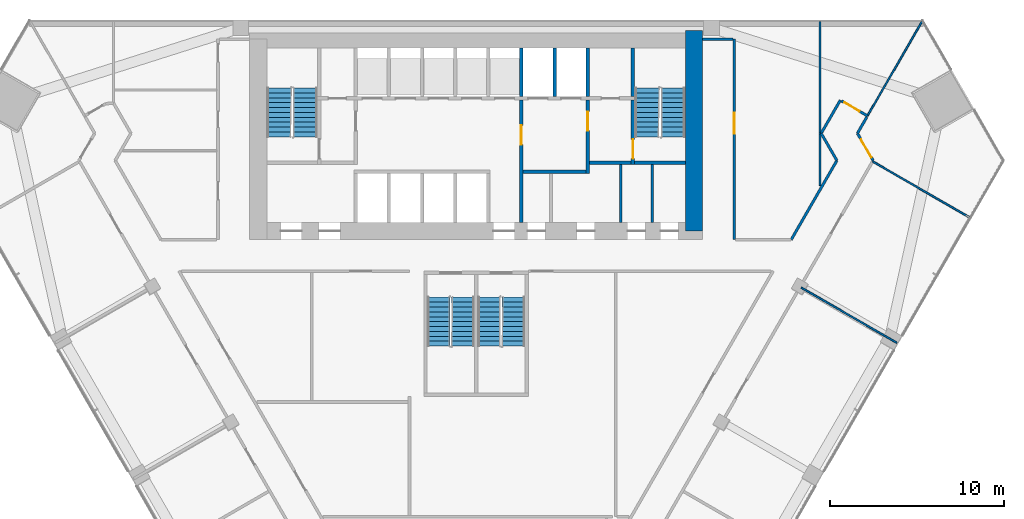
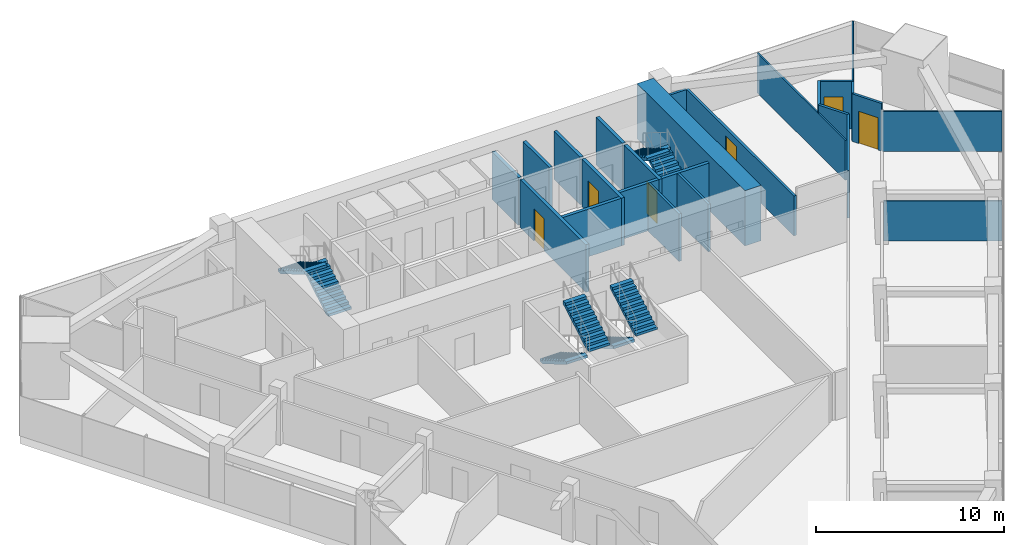
# One storey, part 11 of 13: 25 walls, 8 stair flights, 6 doors, 6 openings, 4 elements without a shape of their own.
"""IFC4 building model written with IfcOpenShell, lengths in metres."""

from ifc_helpers import new_model, si_unit, direction, frame, frame_2d, origin, place, context, subcontext, project, spatial, polyline, rectangle, outline, extrude, material, layer, layer_set, type_object, element, fill, aggregate, save


model = new_model("IFC4")

# Units and contexts
model_context = context("Model", 3, precision=1e-05, world=origin(), true_north=direction((0.0, 1.0)))
body_context = subcontext(model_context, "Body", "Model", "MODEL_VIEW")
ifc_project = project(units=[si_unit("LENGTHUNIT", "METRE"), si_unit("AREAUNIT", "SQUARE_METRE"), si_unit("VOLUMEUNIT", "CUBIC_METRE"), si_unit("PLANEANGLEUNIT", "RADIAN"), si_unit("MASSUNIT", "GRAM", prefix="KILO")], contexts=[model_context])

# Site, building, storey
site_placement = place(None, origin())
site = spatial("IfcSite", under=ifc_project, at=site_placement, CompositionType="ELEMENT")
building_placement = place(site_placement, origin())
building = spatial("IfcBuilding", under=site, at=building_placement, Name="Altiplano Prism Tower", CompositionType="ELEMENT")
storey_placement = place(building_placement, frame((0.0, 0.0, 59.39990234375)))
storey = spatial("IfcBuildingStorey", under=building, at=storey_placement, Name="L14", CompositionType="ELEMENT", Elevation=59.39990234375)

# Walls
ifc_material_1 = material(Name="Concrete C70/85", Category="concrete")
ifc_layer_1 = layer(ifc_material_1, 1.0)
ifc_layer_set_1 = layer_set([ifc_layer_1], Name="Concrete C70/85")
wall_type_1 = type_object("IfcWallType", Name="Core wall 1000", PredefinedType="SHEAR", material=ifc_layer_set_1)
wall_1_placement = place(storey_placement, frame((97.5, 92.89990234375, 0.0), z_axis=(0.0, 0.0, 1.0), x_axis=(0.0, 1.0, 0.0)))
element("IfcWall", 1, at=wall_1_placement, inside=storey, type_object=wall_type_1, Name="Core wall E L14", PredefinedType="SHEAR", context=body_context, shape_type="SweptSolid", body=[
    extrude(rectangle(XDim=11.5, YDim=1.0, at=frame_2d((5.75, 0.0))), origin(), (0.0, 0.0, 1.0), 3.60009765625),
])
ifc_material_2 = material(Name="Plasterboard on steel stud", Category="steel")
ifc_layer_2 = layer(ifc_material_2, 0.10009765625)
ifc_layer_set_2 = layer_set([ifc_layer_2], Name="Plasterboard on steel stud")
wall_type_2 = type_object("IfcWallType", Name="Partition 100 wet", PredefinedType="PARTITIONING", material=ifc_layer_set_2)
wall_2_placement = place(storey_placement, frame((109.130126953125, 86.48828125, 0.0), z_axis=(0.0, 0.0, 1.0), x_axis=(-0.866042250622, 0.499970819286, 0.0)))
element("IfcWall", 2, at=wall_2_placement, inside=storey, type_object=wall_type_2, Name="Partition P03 L14 040", PredefinedType="PARTITIONING", context=body_context, shape_type="SweptSolid", body=[
    extrude(rectangle(XDim=6.3251953125, YDim=0.10009765625, at=frame_2d((3.16259765625, 0.0))), origin(), (0.0, 0.0, 1.0), 2.60009765625),
])
wall_3_placement = place(storey_placement, frame((113.28662109375, 93.6875, 0.0), z_axis=(0.0, 0.0, 1.0), x_axis=(-0.866035036182, 0.499983315828, 0.0)))
element("IfcWall", 3, at=wall_3_placement, inside=storey, type_object=wall_type_2, Name="Partition P03 L14 041", PredefinedType="PARTITIONING", context=body_context, shape_type="SweptSolid", body=[
    extrude(rectangle(XDim=6.400146484375, YDim=0.10009765625, at=frame_2d((3.2001953125, 0.0))), origin(), (0.0, 0.0, 1.0), 2.60009765625),
])
wall_4_placement = place(storey_placement, frame((110.568359375, 104.89990234375, 0.0), z_axis=(0.0, 0.0, 1.0), x_axis=(-0.500034261589, -0.866005621943, 0.0)))
element("IfcWall", 4, at=wall_4_placement, inside=storey, type_object=wall_type_2, Name="Partition P03 L14 042", PredefinedType="PARTITIONING", context=body_context, shape_type="SweptSolid", body=[
    extrude(rectangle(XDim=6.2353515625, YDim=0.10009765625, at=frame_2d((3.11767578125, 0.0))), origin(), (0.0, 0.0, 1.0), 2.60009765625),
])
wall_5_placement = place(storey_placement, frame((104.73193359375, 95.50732421875, 0.0), z_axis=(0.0, 0.0, 1.0), x_axis=(0.0, 1.0, 0.0)))
element("IfcWall", 5, at=wall_5_placement, inside=storey, type_object=wall_type_2, Name="Partition P03 L14 046", PredefinedType="PARTITIONING", context=body_context, shape_type="SweptSolid", body=[
    extrude(rectangle(XDim=9.392578125, YDim=0.10009765625, at=frame_2d((4.6962890625, 0.0))), origin(), (0.0, 0.0, 1.0), 2.60009765625),
])

# Wall, opening, door
ifc_layer_3 = layer(ifc_material_2, 0.14990234375)
ifc_layer_set_3 = layer_set([ifc_layer_3], Name="Plasterboard on steel stud")
wall_type_3 = type_object("IfcWallType", Name="Partition 150 corridor", PredefinedType="PARTITIONING", material=ifc_layer_set_3)
wall_6_placement = place(storey_placement, frame((107.774169921875, 96.939697265625, 0.0), z_axis=(0.0, 0.0, 1.0), x_axis=(-0.500015694476, 0.866016342385, 0.0)))
wall_6 = element("IfcWall", 6, at=wall_6_placement, inside=storey, type_object=wall_type_3, Name="Partition P06 L14 014", PredefinedType="PARTITIONING", context=body_context, shape_type="SweptSolid", body=[
    extrude(rectangle(XDim=1.8017578125, YDim=0.14990234375, at=frame_2d((0.90087890625, 0.0))), origin(), (0.0, 0.0, 1.0), 3.10009765625),
])
opening_1_placement = place(wall_6_placement, frame((0.199951171875, 0.0, 0.0)))
opening_1 = element("IfcOpeningElement", 7, at=opening_1_placement, cuts=wall_6, Name="Opening D0586", PredefinedType="OPENING", context=body_context, shape_type="SweptSolid", body=[
    extrude(rectangle(XDim=1.199951171875, YDim=2.10009765625, at=frame_2d((0.60009765625, 1.050048828125))), frame((0.0, 0.08544921875, 0.0), z_axis=(0.0, -1.0, 0.0), x_axis=(1.0, 0.0, 0.0)), (0.0, 0.0, 1.0), 0.1708984375),
])
ifc_material_3 = material(Name="Timber", Category="wood")
door_type_1 = type_object("IfcDoorType", Name="Shared room door 1200 x 2100", OperationType="NOTDEFINED", PredefinedType="NOTDEFINED", material=ifc_material_3)
door_1_placement = place(opening_1_placement, origin())
door_1 = element("IfcDoor", 8, at=door_1_placement, inside=storey, type_object=door_type_1, Name="Door D0586", OperationType="SINGLE_SWING_RIGHT", OverallHeight=2.10009765625, OverallWidth=1.199951171875, PredefinedType="NOTDEFINED", context=body_context, shape_type="SweptSolid", body=[
    extrude(rectangle(XDim=1.199951171875, YDim=2.10009765625, at=frame_2d((0.60009765625, 1.050048828125))), frame((0.0, 0.02490234375, 0.0), z_axis=(0.0, -1.0, 0.0), x_axis=(1.0, 0.0, 0.0)), (0.0, 0.0, 1.0), 0.050048828125),
])
fill(opening_1, door_1)

# Walls
wall_7_placement = place(storey_placement, frame((106.873291015625, 98.5, 0.0), z_axis=(0.0, 0.0, 1.0), x_axis=(0.499957341738, 0.866050031143, 0.0)))
element("IfcWall", 9, at=wall_7_placement, inside=storey, type_object=wall_type_3, Name="Partition P06 L14 015", PredefinedType="PARTITIONING", context=body_context, shape_type="SweptSolid", body=[
    extrude(rectangle(XDim=1.07958984375, YDim=0.14990234375, at=frame_2d((0.539794921875, 0.0))), origin(), (0.0, 0.0, 1.0), 3.10009765625),
])
wall_8_placement = place(storey_placement, frame((105.695556640625, 96.939697265625, 0.0), z_axis=(0.0, 0.0, 1.0), x_axis=(-0.499971068387, -0.866042106815, 0.0)))
element("IfcWall", 10, at=wall_8_placement, inside=storey, type_object=wall_type_3, Name="Partition P06 L14 019", PredefinedType="PARTITIONING", context=body_context, shape_type="SweptSolid", body=[
    extrude(rectangle(XDim=5.241943359375, YDim=0.14990234375, at=frame_2d((2.62109375, 0.0))), origin(), (0.0, 0.0, 1.0), 3.10009765625),
])

# Wall, opening, door
wall_9_placement = place(storey_placement, frame((99.800048828125, 92.39990234375, 0.0), z_axis=(0.0, 0.0, 1.0), x_axis=(0.0, 1.0, 0.0)))
wall_9 = element("IfcWall", 11, at=wall_9_placement, inside=storey, type_object=wall_type_3, Name="Partition P06 L14 021", PredefinedType="PARTITIONING", context=body_context, shape_type="SweptSolid", body=[
    extrude(rectangle(XDim=11.5, YDim=0.14990234375, at=frame_2d((5.75, 0.0))), origin(), (0.0, 0.0, 1.0), 2.60009765625),
])
opening_2_placement = place(wall_9_placement, frame((6.090087890625, 0.0, 0.0)))
opening_2 = element("IfcOpeningElement", 12, at=opening_2_placement, cuts=wall_9, Name="Opening D0589", PredefinedType="OPENING", context=body_context, shape_type="SweptSolid", body=[
    extrude(rectangle(XDim=1.199951171875, YDim=2.10009765625, at=frame_2d((0.60009765625, 1.050048828125))), frame((0.0, 0.08544921875, 0.0), z_axis=(0.0, -1.0, 0.0), x_axis=(1.0, 0.0, 0.0)), (0.0, 0.0, 1.0), 0.1708984375),
])
door_2_placement = place(opening_2_placement, origin())
door_2 = element("IfcDoor", 13, at=door_2_placement, inside=storey, type_object=door_type_1, Name="Door D0589", OperationType="SINGLE_SWING_RIGHT", OverallHeight=2.10009765625, OverallWidth=1.199951171875, PredefinedType="NOTDEFINED", context=body_context, shape_type="SweptSolid", body=[
    extrude(rectangle(XDim=1.199951171875, YDim=2.10009765625, at=frame_2d((0.60009765625, 1.050048828125))), frame((0.0, 0.02490234375, 0.0), z_axis=(0.0, -1.0, 0.0), x_axis=(1.0, 0.0, 0.0)), (0.0, 0.0, 1.0), 0.050048828125),
])
fill(opening_2, door_2)

# Wall
wall_10_placement = place(storey_placement, frame((99.72509765625, 103.89990234375, 0.0), z_axis=(0.0, 0.0, 1.0), x_axis=(-1.0, 0.0, 0.0)))
element("IfcWall", 14, at=wall_10_placement, inside=storey, type_object=wall_type_3, Name="Partition P06 L14 022", PredefinedType="PARTITIONING", context=body_context, shape_type="SweptSolid", body=[
    extrude(rectangle(XDim=1.72509765625, YDim=0.14990234375, at=frame_2d((0.862548828125, 0.0))), origin(), (0.0, 0.0, 1.0), 2.60009765625),
])

# Wall, opening, door
wall_11_placement = place(storey_placement, frame((107.450439453125, 99.5, 0.0), z_axis=(0.0, 0.0, 1.0), x_axis=(-0.866013532718, 0.500020560727, 0.0)))
wall_11 = element("IfcWall", 15, at=wall_11_placement, inside=storey, type_object=wall_type_3, Name="Partition P06 L14 024", PredefinedType="PARTITIONING", context=body_context, shape_type="SweptSolid", body=[
    extrude(rectangle(XDim=1.72509765625, YDim=0.14990234375, at=frame_2d((0.862548828125, 0.0))), origin(), (0.0, 0.0, 1.0), 3.10009765625),
])
opening_3_placement = place(wall_11_placement, frame((0.52490234375, 0.0, 0.0)))
opening_3 = element("IfcOpeningElement", 16, at=opening_3_placement, cuts=wall_11, Name="Opening D0595", PredefinedType="OPENING", context=body_context, shape_type="SweptSolid", body=[
    extrude(rectangle(XDim=1.0, YDim=2.10009765625, at=frame_2d((0.5, 1.050048828125))), frame((0.0, 0.08544921875, 0.0), z_axis=(0.0, -1.0, 0.0), x_axis=(1.0, 0.0, 0.0)), (0.0, 0.0, 1.0), 0.1708984375),
])
door_type_2 = type_object("IfcDoorType", Name="Room door 1000 x 2100", OperationType="NOTDEFINED", PredefinedType="NOTDEFINED", material=ifc_material_3)
door_3_placement = place(opening_3_placement, origin())
door_3 = element("IfcDoor", 17, at=door_3_placement, inside=storey, type_object=door_type_2, Name="Door D0595", OperationType="SINGLE_SWING_RIGHT", OverallHeight=2.10009765625, OverallWidth=1.0, PredefinedType="NOTDEFINED", context=body_context, shape_type="SweptSolid", body=[
    extrude(rectangle(XDim=1.0, YDim=2.10009765625, at=frame_2d((0.5, 1.050048828125))), frame((0.0, 0.02490234375, 0.0), z_axis=(0.0, -1.0, 0.0), x_axis=(1.0, 0.0, 0.0)), (0.0, 0.0, 1.0), 0.050048828125),
])
fill(opening_3, door_3)

# Walls
wall_12_placement = place(storey_placement, frame((105.8916015625, 100.39990234375, 0.0), z_axis=(0.0, 0.0, 1.0), x_axis=(-0.500005024956, -0.866022502605, 0.0)))
element("IfcWall", 18, at=wall_12_placement, inside=storey, type_object=wall_type_3, Name="Partition P06 L14 025", PredefinedType="PARTITIONING", context=body_context, shape_type="SweptSolid", body=[
    extrude(rectangle(XDim=2.19384765625, YDim=0.14990234375, at=frame_2d((1.096923828125, 0.0))), origin(), (0.0, 0.0, 1.0), 3.10009765625),
])
wall_13_placement = place(storey_placement, frame((104.794677734375, 98.5, 0.0), z_axis=(0.0, 0.0, 1.0), x_axis=(0.500015694476, -0.866016342385, 0.0)))
element("IfcWall", 19, at=wall_13_placement, inside=storey, type_object=wall_type_3, Name="Partition P06 L14 026", PredefinedType="PARTITIONING", context=body_context, shape_type="SweptSolid", body=[
    extrude(rectangle(XDim=1.8017578125, YDim=0.14990234375, at=frame_2d((0.90087890625, 0.0))), origin(), (0.0, 0.0, 1.0), 3.10009765625),
])
ifc_material_4 = material(Name="Fire-rated gypsum board partition")
ifc_layer_4 = layer(ifc_material_4, 0.14990234375)
ifc_layer_set_4 = layer_set([ifc_layer_4], Name="Fire-rated gypsum board partition")
wall_type_4 = type_object("IfcWallType", Name="Room partition 150", PredefinedType="PARTITIONING", material=ifc_layer_set_4)
for number, where, z_axis, x_axis, name in (
    (20, (93.300048828125, 93.39990234375, 0.0), (0.0, 0.0, 1.0), (0.0, 1.0, 0.0), "Room partition L14"),
    (21, (95.10009765625, 93.39990234375, 0.0), (0.0, 0.0, 1.0), (0.0, 1.0, 0.0), "Room partition L14"),
):
    element("IfcWall", number, at=place(storey_placement, frame(where, z_axis=z_axis, x_axis=x_axis)), inside=storey, type_object=wall_type_4, Name=name, PredefinedType="PARTITIONING", context=body_context, shape_type="SweptSolid", body=[
        extrude(rectangle(XDim=3.300048828125, YDim=0.14990234375, at=frame_2d((1.64990234375, 0.0))), origin(), (0.0, 0.0, 1.0), 3.10009765625),
    ])
ifc_material_5 = material(Name="Concrete C60/75", Category="concrete")
ifc_layer_5 = layer(ifc_material_5, 0.199951171875)
ifc_layer_set_5 = layer_set([ifc_layer_5], Name="Concrete C60/75")
wall_type_5 = type_object("IfcWallType", Name="Shaft wall 200", PredefinedType="SOLIDWALL", material=ifc_layer_set_5)
for number, where, z_axis, x_axis, name in (
    (22, (87.60009765625, 100.60009765625, 0.0), (0.0, 0.0, 1.0), (0.0, 1.0, 0.0), "Shaft wall L14"),
    (23, (89.5, 100.60009765625, 0.0), (0.0, 0.0, 1.0), (0.0, 1.0, 0.0), "Shaft wall L14"),
    (24, (91.39990234375, 100.60009765625, 0.0), (0.0, 0.0, 1.0), (0.0, 1.0, 0.0), "Shaft wall L14"),
):
    element("IfcWall", number, at=place(storey_placement, frame(where, z_axis=z_axis, x_axis=x_axis)), inside=storey, type_object=wall_type_5, Name=name, PredefinedType="SOLIDWALL", context=body_context, shape_type="SweptSolid", body=[
        extrude(rectangle(XDim=2.7998046875, YDim=0.199951171875, at=frame_2d((1.39990234375, 0.0))), origin(), (0.0, 0.0, 1.0), 3.10009765625),
    ])

# Wall, opening, door
ifc_layer_6 = layer(ifc_material_5, 0.199951171875)
ifc_layer_set_6 = layer_set([ifc_layer_6], Name="Concrete C60/75")
wall_type_6 = type_object("IfcWallType", Name="Stair wall 200", PredefinedType="SOLIDWALL", material=ifc_layer_set_6)
wall_14_placement = place(storey_placement, frame((94.0, 96.699951171875, 0.0), z_axis=(0.0, 0.0, 1.0), x_axis=(0.0, 1.0, 0.0)))
wall_14 = element("IfcWall", 25, at=wall_14_placement, inside=storey, type_object=wall_type_6, Name="Stair wall L14", PredefinedType="SOLIDWALL", context=body_context, shape_type="SweptSolid", body=[
    extrude(rectangle(XDim=3.699951171875, YDim=0.199951171875, at=frame_2d((1.85009765625, 0.0))), origin(), (0.0, 0.0, 1.0), 3.10009765625),
])
opening_4_placement = place(wall_14_placement, frame((0.35009765625, 0.0, 0.0)))
opening_4 = element("IfcOpeningElement", 26, at=opening_4_placement, cuts=wall_14, Name="Opening D2775", PredefinedType="OPENING", context=body_context, shape_type="SweptSolid", body=[
    extrude(rectangle(XDim=1.10009765625, YDim=2.10009765625, at=frame_2d((0.550048828125, 1.050048828125))), frame((0.0, 0.1103515625, 0.0), z_axis=(0.0, -1.0, 0.0), x_axis=(1.0, 0.0, 0.0)), (0.0, 0.0, 1.0), 0.220947265625),
])
ifc_material_6 = material(Name="Fire-rated steel door", Category="steel")
door_type_3 = type_object("IfcDoorType", Name="Stair fire door 1100 x 2100", OperationType="NOTDEFINED", PredefinedType="NOTDEFINED", material=ifc_material_6)
door_4_placement = place(opening_4_placement, origin())
door_4 = element("IfcDoor", 27, at=door_4_placement, inside=storey, type_object=door_type_3, Name="Stair fire door D2775", OperationType="SINGLE_SWING_LEFT", OverallHeight=2.10009765625, OverallWidth=1.10009765625, PredefinedType="NOTDEFINED", context=body_context, shape_type="SweptSolid", body=[
    extrude(rectangle(XDim=1.10009765625, YDim=2.10009765625, at=frame_2d((0.550048828125, 1.050048828125))), frame((0.0, 0.02490234375, 0.0), z_axis=(0.0, -1.0, 0.0), x_axis=(1.0, 0.0, 0.0)), (0.0, 0.0, 1.0), 0.050048828125),
])
fill(opening_4, door_4)

# Walls
wall_15_placement = place(storey_placement, frame((94.10009765625, 96.800048828125, 0.0), z_axis=(0.0, 0.0, 1.0), x_axis=(1.0, 0.0, 0.0)))
element("IfcWall", 28, at=wall_15_placement, inside=storey, type_object=wall_type_6, Name="Stair wall L14", PredefinedType="SOLIDWALL", context=body_context, shape_type="SweptSolid", body=[
    extrude(rectangle(XDim=2.89990234375, YDim=0.199951171875, at=frame_2d((1.449951171875, 0.0))), origin(), (0.0, 0.0, 1.0), 3.10009765625),
])
wall_16_placement = place(storey_placement, frame((94.0, 100.60009765625, 0.0), z_axis=(0.0, 0.0, 1.0), x_axis=(0.0, 1.0, 0.0)))
element("IfcWall", 29, at=wall_16_placement, inside=storey, type_object=wall_type_6, Name="Stair wall L14", PredefinedType="SOLIDWALL", context=body_context, shape_type="SweptSolid", body=[
    extrude(rectangle(XDim=2.7998046875, YDim=0.199951171875, at=frame_2d((1.39990234375, 0.0))), origin(), (0.0, 0.0, 1.0), 3.10009765625),
])

# Wall, opening, door
ifc_layer_7 = layer(ifc_material_5, 0.199951171875)
ifc_layer_set_7 = layer_set([ifc_layer_7], Name="Concrete C60/75")
wall_type_7 = type_object("IfcWallType", Name="Vestibule wall 200", PredefinedType="PARTITIONING", material=ifc_layer_set_7)
wall_17_placement = place(storey_placement, frame((87.60009765625, 93.39990234375, 0.0), z_axis=(0.0, 0.0, 1.0), x_axis=(0.0, 1.0, 0.0)))
wall_17 = element("IfcWall", 30, at=wall_17_placement, inside=storey, type_object=wall_type_7, Name="Vestibule wall L14", PredefinedType="PARTITIONING", context=body_context, shape_type="SweptSolid", body=[
    extrude(rectangle(XDim=7.0, YDim=0.199951171875, at=frame_2d((3.5, 0.0))), origin(), (0.0, 0.0, 1.0), 3.10009765625),
])
opening_5_placement = place(wall_17_placement, frame((4.449951171875, 0.0, 0.0)))
opening_5 = element("IfcOpeningElement", 31, at=opening_5_placement, cuts=wall_17, Name="Opening D2777", PredefinedType="OPENING", context=body_context, shape_type="SweptSolid", body=[
    extrude(rectangle(XDim=1.10009765625, YDim=2.10009765625, at=frame_2d((0.550048828125, 1.050048828125))), frame((0.0, 0.1103515625, 0.0), z_axis=(0.0, -1.0, 0.0), x_axis=(1.0, 0.0, 0.0)), (0.0, 0.0, 1.0), 0.220947265625),
])
door_type_4 = type_object("IfcDoorType", Name="Vestibule fire door 1100 x 2100", OperationType="NOTDEFINED", PredefinedType="NOTDEFINED", material=ifc_material_6)
door_5_placement = place(opening_5_placement, origin())
door_5 = element("IfcDoor", 32, at=door_5_placement, inside=storey, type_object=door_type_4, Name="Vestibule fire door D2777", OperationType="SINGLE_SWING_RIGHT", OverallHeight=2.10009765625, OverallWidth=1.10009765625, PredefinedType="NOTDEFINED", context=body_context, shape_type="SweptSolid", body=[
    extrude(rectangle(XDim=1.10009765625, YDim=2.10009765625, at=frame_2d((0.550048828125, 1.050048828125))), frame((0.0, 0.02490234375, 0.0), z_axis=(0.0, -1.0, 0.0), x_axis=(1.0, 0.0, 0.0)), (0.0, 0.0, 1.0), 0.050048828125),
])
fill(opening_5, door_5)

# Wall
wall_18_placement = place(storey_placement, frame((87.699951171875, 96.300048828125, 0.0), z_axis=(0.0, 0.0, 1.0), x_axis=(1.0, 0.0, 0.0)))
element("IfcWall", 33, at=wall_18_placement, inside=storey, type_object=wall_type_7, Name="Vestibule wall L14", PredefinedType="PARTITIONING", context=body_context, shape_type="SweptSolid", body=[
    extrude(rectangle(XDim=3.60009765625, YDim=0.199951171875, at=frame_2d((1.800048828125, 0.0))), origin(), (0.0, 0.0, 1.0), 3.10009765625),
])

# Wall, opening, door
wall_19_placement = place(storey_placement, frame((91.39990234375, 96.199951171875, 0.0), z_axis=(0.0, 0.0, 1.0), x_axis=(0.0, 1.0, 0.0)))
wall_19 = element("IfcWall", 34, at=wall_19_placement, inside=storey, type_object=wall_type_7, Name="Vestibule wall L14", PredefinedType="PARTITIONING", context=body_context, shape_type="SweptSolid", body=[
    extrude(rectangle(XDim=4.199951171875, YDim=0.199951171875, at=frame_2d((2.10009765625, 0.0))), origin(), (0.0, 0.0, 1.0), 3.10009765625),
])
opening_6_placement = place(wall_19_placement, frame((2.449951171875, 0.0, 0.0)))
opening_6 = element("IfcOpeningElement", 35, at=opening_6_placement, cuts=wall_19, Name="Opening D2778", PredefinedType="OPENING", context=body_context, shape_type="SweptSolid", body=[
    extrude(rectangle(XDim=1.10009765625, YDim=2.10009765625, at=frame_2d((0.550048828125, 1.050048828125))), frame((0.0, 0.1103515625, 0.0), z_axis=(0.0, -1.0, 0.0), x_axis=(1.0, 0.0, 0.0)), (0.0, 0.0, 1.0), 0.220947265625),
])
door_6_placement = place(opening_6_placement, origin())
door_6 = element("IfcDoor", 36, at=door_6_placement, inside=storey, type_object=door_type_4, Name="Vestibule fire door D2778", OperationType="SINGLE_SWING_LEFT", OverallHeight=2.10009765625, OverallWidth=1.10009765625, PredefinedType="NOTDEFINED", context=body_context, shape_type="SweptSolid", body=[
    extrude(rectangle(XDim=1.10009765625, YDim=2.10009765625, at=frame_2d((0.550048828125, 1.050048828125))), frame((0.0, 0.02490234375, 0.0), z_axis=(0.0, -1.0, 0.0), x_axis=(1.0, 0.0, 0.0)), (0.0, 0.0, 1.0), 0.050048828125),
])
fill(opening_6, door_6)

# Wall
wall_20_placement = place(storey_placement, frame((91.5, 96.800048828125, 0.0), z_axis=(0.0, 0.0, 1.0), x_axis=(1.0, 0.0, 0.0)))
element("IfcWall", 37, at=wall_20_placement, inside=storey, type_object=wall_type_7, Name="Vestibule wall L14", PredefinedType="PARTITIONING", context=body_context, shape_type="SweptSolid", body=[
    extrude(rectangle(XDim=2.39990234375, YDim=0.199951171875, at=frame_2d((1.199951171875, 0.0))), origin(), (0.0, 0.0, 1.0), 3.10009765625),
])

# Stair, stair flights
ifc_material_7 = material(Name="Concrete C40/50", Category="concrete")
stair_type_1 = type_object("IfcStairType", Name="Exit stair 1400", PredefinedType="HALF_TURN_STAIR", material=ifc_material_7)
stair_1_placement = place(storey_placement, origin())
stair_1 = element("IfcStair", 38, at=stair_1_placement, inside=storey, type_object=stair_type_1, Name="L14 Exit Stair 1", PredefinedType="HALF_TURN_STAIR")
stair_flight_type = type_object("IfcStairFlightType", Name="Stair flight concrete 150", PredefinedType="STRAIGHT", material=ifc_material_7)
stair_flight_1_placement = place(storey_placement, frame((75.199951171875, 98.300048828125, 0.0), z_axis=(0.0, 0.0, 1.0), x_axis=(0.0, 1.0, 0.0)))
stair_flight_1 = element("IfcStairFlight", 39, at=stair_flight_1_placement, type_object=stair_flight_type, Name="ST1 flight 1", NumberOfRisers=11, NumberOfTreads=10, PredefinedType="STRAIGHT", RiserHeight=0.163636364, TreadLength=0.28, context=body_context, shape_type="SweptSolid", body=[
    extrude(outline(polyline([(0.0, 0.0), (0.0, 0.16357421875), (0.280029296875, 0.16357421875), (0.280029296875, 0.327392578125), (0.56005859375, 0.327392578125), (0.56005859375, 0.490966796875), (0.840087890625, 0.490966796875), (0.840087890625, 0.654541015625), (1.1201171875, 0.654541015625), (1.1201171875, 0.818115234375), (1.39990234375, 0.818115234375), (1.39990234375, 0.98193359375), (1.679931640625, 0.98193359375), (1.679931640625, 1.1455078125), (1.9599609375, 1.1455078125), (1.9599609375, 1.30908203125), (2.239990234375, 1.30908203125), (2.239990234375, 1.47265625), (2.52001953125, 1.47265625), (2.52001953125, 1.636474609375), (2.800048828125, 1.636474609375), (2.800048828125, 1.800048828125), (2.800048828125, 1.462646484375), (0.297119140625, 0.0), (0.0, 0.0)])), frame((0.0, 0.699951171875, 0.0), z_axis=(0.0, -1.0, 0.0), x_axis=(1.0, 0.0, 0.0)), (0.0, 0.0, 1.0), 1.39990234375),
])
stair_flight_2_placement = place(storey_placement, frame((73.699951171875, 101.10009765625, 1.800048828125), z_axis=(0.0, 0.0, 1.0), x_axis=(0.0, -1.0, 0.0)))
stair_flight_2 = element("IfcStairFlight", 40, at=stair_flight_2_placement, type_object=stair_flight_type, Name="ST1 flight 2", NumberOfRisers=11, NumberOfTreads=10, PredefinedType="STRAIGHT", RiserHeight=0.163636364, TreadLength=0.28, context=body_context, shape_type="SweptSolid", body=[
    extrude(outline(polyline([(0.0, 0.0), (0.0, 0.16357421875), (0.280029296875, 0.16357421875), (0.280029296875, 0.327392578125), (0.56005859375, 0.327392578125), (0.56005859375, 0.490966796875), (0.840087890625, 0.490966796875), (0.840087890625, 0.654541015625), (1.1201171875, 0.654541015625), (1.1201171875, 0.818115234375), (1.39990234375, 0.818115234375), (1.39990234375, 0.98193359375), (1.679931640625, 0.98193359375), (1.679931640625, 1.1455078125), (1.9599609375, 1.1455078125), (1.9599609375, 1.30908203125), (2.239990234375, 1.30908203125), (2.239990234375, 1.47265625), (2.52001953125, 1.47265625), (2.52001953125, 1.636474609375), (2.800048828125, 1.636474609375), (2.800048828125, 1.800048828125), (2.800048828125, 1.462646484375), (0.297119140625, 0.0), (0.0, 0.0)])), frame((0.0, 0.699951171875, 0.0), z_axis=(0.0, -1.0, 0.0), x_axis=(1.0, 0.0, 0.0)), (0.0, 0.0, 1.0), 1.39990234375),
])
aggregate(stair_1, [stair_flight_1, stair_flight_2])

stair_2_placement = place(storey_placement, origin())
stair_2 = element("IfcStair", 41, at=stair_2_placement, inside=storey, type_object=stair_type_1, Name="L14 Exit Stair 2", PredefinedType="HALF_TURN_STAIR")
stair_flight_3_placement = place(storey_placement, frame((96.300048828125, 98.300048828125, 0.0), z_axis=(0.0, 0.0, 1.0), x_axis=(0.0, 1.0, 0.0)))
stair_flight_3 = element("IfcStairFlight", 42, at=stair_flight_3_placement, type_object=stair_flight_type, Name="ST2 flight 1", NumberOfRisers=11, NumberOfTreads=10, PredefinedType="STRAIGHT", RiserHeight=0.163636364, TreadLength=0.28, context=body_context, shape_type="SweptSolid", body=[
    extrude(outline(polyline([(0.0, 0.0), (0.0, 0.16357421875), (0.280029296875, 0.16357421875), (0.280029296875, 0.327392578125), (0.56005859375, 0.327392578125), (0.56005859375, 0.490966796875), (0.840087890625, 0.490966796875), (0.840087890625, 0.654541015625), (1.1201171875, 0.654541015625), (1.1201171875, 0.818115234375), (1.39990234375, 0.818115234375), (1.39990234375, 0.98193359375), (1.679931640625, 0.98193359375), (1.679931640625, 1.1455078125), (1.9599609375, 1.1455078125), (1.9599609375, 1.30908203125), (2.239990234375, 1.30908203125), (2.239990234375, 1.47265625), (2.52001953125, 1.47265625), (2.52001953125, 1.636474609375), (2.800048828125, 1.636474609375), (2.800048828125, 1.800048828125), (2.800048828125, 1.462646484375), (0.297119140625, 0.0), (0.0, 0.0)])), frame((0.0, 0.699951171875, 0.0), z_axis=(0.0, -1.0, 0.0), x_axis=(1.0, 0.0, 0.0)), (0.0, 0.0, 1.0), 1.39990234375),
])
stair_flight_4_placement = place(storey_placement, frame((94.800048828125, 101.10009765625, 1.800048828125), z_axis=(0.0, 0.0, 1.0), x_axis=(0.0, -1.0, 0.0)))
stair_flight_4 = element("IfcStairFlight", 43, at=stair_flight_4_placement, type_object=stair_flight_type, Name="ST2 flight 2", NumberOfRisers=11, NumberOfTreads=10, PredefinedType="STRAIGHT", RiserHeight=0.163636364, TreadLength=0.28, context=body_context, shape_type="SweptSolid", body=[
    extrude(outline(polyline([(0.0, 0.0), (0.0, 0.16357421875), (0.280029296875, 0.16357421875), (0.280029296875, 0.327392578125), (0.56005859375, 0.327392578125), (0.56005859375, 0.490966796875), (0.840087890625, 0.490966796875), (0.840087890625, 0.654541015625), (1.1201171875, 0.654541015625), (1.1201171875, 0.818115234375), (1.39990234375, 0.818115234375), (1.39990234375, 0.98193359375), (1.679931640625, 0.98193359375), (1.679931640625, 1.1455078125), (1.9599609375, 1.1455078125), (1.9599609375, 1.30908203125), (2.239990234375, 1.30908203125), (2.239990234375, 1.47265625), (2.52001953125, 1.47265625), (2.52001953125, 1.636474609375), (2.800048828125, 1.636474609375), (2.800048828125, 1.800048828125), (2.800048828125, 1.462646484375), (0.297119140625, 0.0), (0.0, 0.0)])), frame((0.0, 0.699951171875, 0.0), z_axis=(0.0, -1.0, 0.0), x_axis=(1.0, 0.0, 0.0)), (0.0, 0.0, 1.0), 1.39990234375),
])
aggregate(stair_2, [stair_flight_3, stair_flight_4])

stair_type_2 = type_object("IfcStairType", Name="Exit stair 1300", PredefinedType="HALF_TURN_STAIR", material=ifc_material_7)
stair_3_placement = place(storey_placement, origin())
stair_3 = element("IfcStair", 44, at=stair_3_placement, inside=storey, type_object=stair_type_2, Name="L14 Exit Stair 3A", PredefinedType="HALF_TURN_STAIR")
stair_flight_5_placement = place(storey_placement, frame((82.85009765625, 89.10009765625, 0.0), z_axis=(0.0, 0.0, 1.0), x_axis=(0.0, -1.0, 0.0)))
stair_flight_5 = element("IfcStairFlight", 45, at=stair_flight_5_placement, type_object=stair_flight_type, Name="ST3A flight 1", NumberOfRisers=11, NumberOfTreads=10, PredefinedType="STRAIGHT", RiserHeight=0.163636364, TreadLength=0.28, context=body_context, shape_type="SweptSolid", body=[
    extrude(outline(polyline([(0.0, 0.0), (0.0, 0.16357421875), (0.280029296875, 0.16357421875), (0.280029296875, 0.327392578125), (0.56005859375, 0.327392578125), (0.56005859375, 0.490966796875), (0.840087890625, 0.490966796875), (0.840087890625, 0.654541015625), (1.1201171875, 0.654541015625), (1.1201171875, 0.818115234375), (1.39990234375, 0.818115234375), (1.39990234375, 0.98193359375), (1.679931640625, 0.98193359375), (1.679931640625, 1.1455078125), (1.9599609375, 1.1455078125), (1.9599609375, 1.30908203125), (2.239990234375, 1.30908203125), (2.239990234375, 1.47265625), (2.52001953125, 1.47265625), (2.52001953125, 1.636474609375), (2.800048828125, 1.636474609375), (2.800048828125, 1.800048828125), (2.800048828125, 1.462646484375), (0.297119140625, 0.0), (0.0, 0.0)])), frame((0.0, 0.64990234375, 0.0), z_axis=(0.0, -1.0, 0.0), x_axis=(1.0, 0.0, 0.0)), (0.0, 0.0, 1.0), 1.300048828125),
])
stair_flight_6_placement = place(storey_placement, frame((84.25, 86.300048828125, 1.800048828125), z_axis=(0.0, 0.0, 1.0), x_axis=(0.0, 1.0, 0.0)))
stair_flight_6 = element("IfcStairFlight", 46, at=stair_flight_6_placement, type_object=stair_flight_type, Name="ST3A flight 2", NumberOfRisers=11, NumberOfTreads=10, PredefinedType="STRAIGHT", RiserHeight=0.163636364, TreadLength=0.28, context=body_context, shape_type="SweptSolid", body=[
    extrude(outline(polyline([(0.0, 0.0), (0.0, 0.16357421875), (0.280029296875, 0.16357421875), (0.280029296875, 0.327392578125), (0.56005859375, 0.327392578125), (0.56005859375, 0.490966796875), (0.840087890625, 0.490966796875), (0.840087890625, 0.654541015625), (1.1201171875, 0.654541015625), (1.1201171875, 0.818115234375), (1.39990234375, 0.818115234375), (1.39990234375, 0.98193359375), (1.679931640625, 0.98193359375), (1.679931640625, 1.1455078125), (1.9599609375, 1.1455078125), (1.9599609375, 1.30908203125), (2.239990234375, 1.30908203125), (2.239990234375, 1.47265625), (2.52001953125, 1.47265625), (2.52001953125, 1.636474609375), (2.800048828125, 1.636474609375), (2.800048828125, 1.800048828125), (2.800048828125, 1.462646484375), (0.297119140625, 0.0), (0.0, 0.0)])), frame((0.0, 0.64990234375, 0.0), z_axis=(0.0, -1.0, 0.0), x_axis=(1.0, 0.0, 0.0)), (0.0, 0.0, 1.0), 1.300048828125),
])
aggregate(stair_3, [stair_flight_5, stair_flight_6])

stair_4_placement = place(storey_placement, origin())
stair_4 = element("IfcStair", 47, at=stair_4_placement, inside=storey, type_object=stair_type_2, Name="L14 Exit Stair 3B", PredefinedType="HALF_TURN_STAIR")
stair_flight_7_placement = place(storey_placement, frame((85.75, 89.10009765625, 0.0), z_axis=(0.0, 0.0, 1.0), x_axis=(0.0, -1.0, 0.0)))
stair_flight_7 = element("IfcStairFlight", 48, at=stair_flight_7_placement, type_object=stair_flight_type, Name="ST3B flight 1", NumberOfRisers=11, NumberOfTreads=10, PredefinedType="STRAIGHT", RiserHeight=0.163636364, TreadLength=0.28, context=body_context, shape_type="SweptSolid", body=[
    extrude(outline(polyline([(0.0, 0.0), (0.0, 0.16357421875), (0.280029296875, 0.16357421875), (0.280029296875, 0.327392578125), (0.56005859375, 0.327392578125), (0.56005859375, 0.490966796875), (0.840087890625, 0.490966796875), (0.840087890625, 0.654541015625), (1.1201171875, 0.654541015625), (1.1201171875, 0.818115234375), (1.39990234375, 0.818115234375), (1.39990234375, 0.98193359375), (1.679931640625, 0.98193359375), (1.679931640625, 1.1455078125), (1.9599609375, 1.1455078125), (1.9599609375, 1.30908203125), (2.239990234375, 1.30908203125), (2.239990234375, 1.47265625), (2.52001953125, 1.47265625), (2.52001953125, 1.636474609375), (2.800048828125, 1.636474609375), (2.800048828125, 1.800048828125), (2.800048828125, 1.462646484375), (0.297119140625, 0.0), (0.0, 0.0)])), frame((0.0, 0.64990234375, 0.0), z_axis=(0.0, -1.0, 0.0), x_axis=(1.0, 0.0, 0.0)), (0.0, 0.0, 1.0), 1.300048828125),
])
stair_flight_8_placement = place(storey_placement, frame((87.14990234375, 86.300048828125, 1.800048828125), z_axis=(0.0, 0.0, 1.0), x_axis=(0.0, 1.0, 0.0)))
stair_flight_8 = element("IfcStairFlight", 49, at=stair_flight_8_placement, type_object=stair_flight_type, Name="ST3B flight 2", NumberOfRisers=11, NumberOfTreads=10, PredefinedType="STRAIGHT", RiserHeight=0.163636364, TreadLength=0.28, context=body_context, shape_type="SweptSolid", body=[
    extrude(outline(polyline([(0.0, 0.0), (0.0, 0.16357421875), (0.280029296875, 0.16357421875), (0.280029296875, 0.327392578125), (0.56005859375, 0.327392578125), (0.56005859375, 0.490966796875), (0.840087890625, 0.490966796875), (0.840087890625, 0.654541015625), (1.1201171875, 0.654541015625), (1.1201171875, 0.818115234375), (1.39990234375, 0.818115234375), (1.39990234375, 0.98193359375), (1.679931640625, 0.98193359375), (1.679931640625, 1.1455078125), (1.9599609375, 1.1455078125), (1.9599609375, 1.30908203125), (2.239990234375, 1.30908203125), (2.239990234375, 1.47265625), (2.52001953125, 1.47265625), (2.52001953125, 1.636474609375), (2.800048828125, 1.636474609375), (2.800048828125, 1.800048828125), (2.800048828125, 1.462646484375), (0.297119140625, 0.0), (0.0, 0.0)])), frame((0.0, 0.64990234375, 0.0), z_axis=(0.0, -1.0, 0.0), x_axis=(1.0, 0.0, 0.0)), (0.0, 0.0, 1.0), 1.300048828125),
])
aggregate(stair_4, [stair_flight_7, stair_flight_8])

save(model, "model.ifc")
